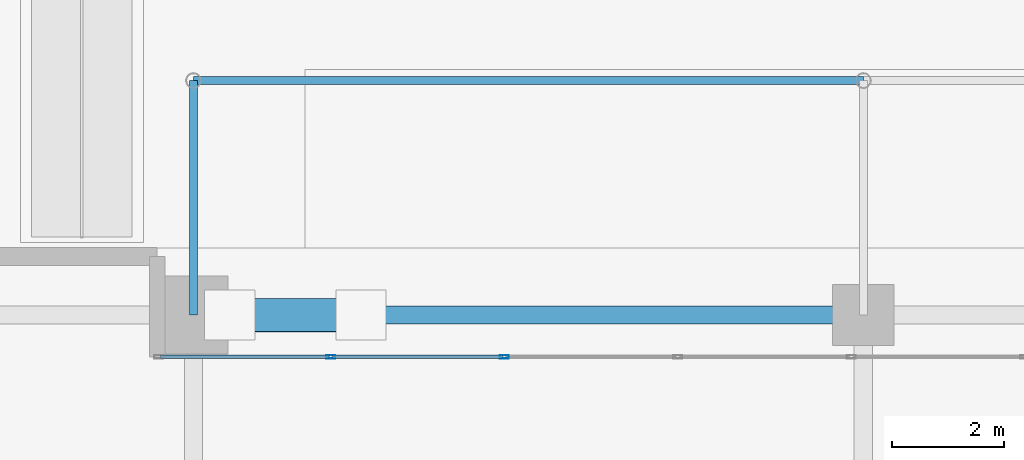
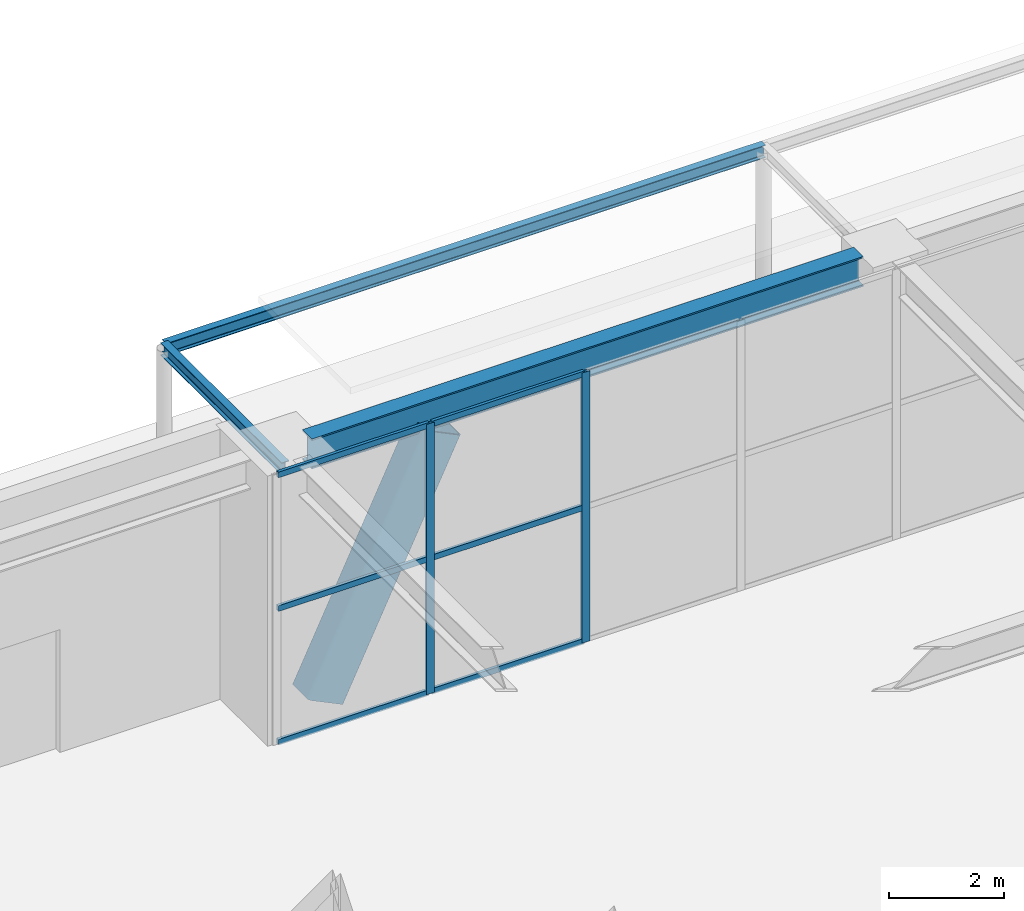
# One storey, part 24 of 49: 9 members, 3 beams, 1 element without a shape of its own.
"""IFC4 building model written with IfcOpenShell, lengths in metres."""

from ifc_helpers import new_model, si_unit, direction, frame, origin, origin_2d, place, context, subcontext, project, spatial, hollow_rectangle, i_section, extrude, material, layer, layer_set, material_profile, profile_set, type_object, element, aggregate, save


model = new_model("IFC4")

# Units and contexts
model_context = context("Model", 3, precision=1e-05, world=origin(), true_north=direction((0.0, 1.0)))
body_context = subcontext(model_context, "Body", "Model", "MODEL_VIEW")
ifc_project = project(units=[si_unit("LENGTHUNIT", "METRE"), si_unit("AREAUNIT", "SQUARE_METRE"), si_unit("VOLUMEUNIT", "CUBIC_METRE"), si_unit("PLANEANGLEUNIT", "RADIAN"), si_unit("MASSUNIT", "GRAM", prefix="KILO")], contexts=[model_context])

# Site, building, storey
site_placement = place(None, origin())
site = spatial("IfcSite", under=ifc_project, at=site_placement, CompositionType="ELEMENT")
building_placement = place(site_placement, origin())
building = spatial("IfcBuilding", under=site, at=building_placement, Name="Sarneth Arch Tower", CompositionType="ELEMENT")
storey_placement = place(building_placement, origin())
storey = spatial("IfcBuildingStorey", under=building, at=storey_placement, Name="L00", CompositionType="ELEMENT", Elevation=0.0)

# Beams
ifc_material_1 = material(Name="Steel S355", Category="steel")
ifc_material_profile_1 = material_profile(ifc_material_1, i_section(OverallWidth=0.14794921875, OverallDepth=0.26611328125, WebThickness=0.007568359375, FlangeThickness=0.012939453125, FilletRadius=0.012939453125, at=origin_2d()), Name="W250x44.8")
ifc_profile_set_1 = profile_set([ifc_material_profile_1], Name="Steel S355")
beam_type_1 = type_object("IfcBeamType", Name="BM-JOIST-250", PredefinedType="JOIST", material=ifc_profile_set_1)
beam_1_placement = place(storey_placement, frame((30.0, 74.800048828125, 5.159912109375), z_axis=(0.0, 1.0, 0.0), x_axis=(-1.0, 0.0, 0.0)))
element("IfcBeam", 1, at=beam_1_placement, inside=storey, type_object=beam_type_1, Name="Entrance canopy outrigger beam NORTH.1", PredefinedType="JOIST", context=body_context, shape_type="SweptSolid", body=[
    extrude(i_section(OverallWidth=0.14794921875, OverallDepth=0.26611328125, WebThickness=0.007568359375, FlangeThickness=0.012939453125, FilletRadius=0.012939453125, at=origin_2d()), origin(), (0.0, 0.0, 1.0), 4.199951171875),
])
beam_2_placement = place(storey_placement, frame((30.0, 79.0, 5.159912109375), z_axis=(1.0, 0.0, 0.0), x_axis=(0.0, 1.0, 0.0)))
element("IfcBeam", 2, at=beam_2_placement, inside=storey, type_object=beam_type_1, Name="Entrance canopy edge beam NORTH.1", PredefinedType="JOIST", context=body_context, shape_type="SweptSolid", body=[
    extrude(i_section(OverallWidth=0.14794921875, OverallDepth=0.26611328125, WebThickness=0.007568359375, FlangeThickness=0.012939453125, FilletRadius=0.012939453125, at=origin_2d()), origin(), (0.0, 0.0, 1.0), 12.0),
])
ifc_material_2 = material(Name="Steel S355", Category="steel")
ifc_material_profile_2 = material_profile(ifc_material_2, i_section(OverallWidth=0.3291015625, OverallDepth=0.635009765625, WebThickness=0.017822265625, FlangeThickness=0.031005859375, FilletRadius=0.01904296875, at=origin_2d()), Name="W610x241")
ifc_profile_set_2 = profile_set([ifc_material_profile_2], Name="Steel S355")
beam_type_2 = type_object("IfcBeamType", Name="BM-POD-610", PredefinedType="BEAM", material=ifc_profile_set_2)
beam_3_placement = place(storey_placement, frame((30.435546875, 74.800048828125, 5.402587890625), z_axis=(1.0, 0.0, 0.0), x_axis=(0.0, 1.0, 0.0)))
element("IfcBeam", 3, at=beam_3_placement, inside=storey, type_object=beam_type_2, Name="L00 Podium PN girder 3", PredefinedType="BEAM", context=body_context, shape_type="SweptSolid", body=[
    extrude(i_section(OverallWidth=0.3291015625, OverallDepth=0.635009765625, WebThickness=0.017822265625, FlangeThickness=0.031005859375, FilletRadius=0.01904296875, at=origin_2d()), origin(), (0.0, 0.0, 1.0), 11.04443359375),
])

# Curtain wall, members
ifc_material_3 = material(Name="Anodised aluminium Type AA25 and solar-control low-e laminated IGU", Category="aluminium")
ifc_layer = layer(ifc_material_3, 0.199951171875)
ifc_layer_set = layer_set([ifc_layer], Name="Anodised aluminium Type AA25 and solar-control low-e laminated IGU")
curtain_wall_type = type_object("IfcCurtainWallType", Name="CW-ARCH-GLAZE", PredefinedType="NOTDEFINED", material=ifc_layer_set)
curtain_wall_placement = place(storey_placement, origin())
curtain_wall = element("IfcCurtainWall", 4, at=curtain_wall_placement, inside=storey, type_object=curtain_wall_type, Name="L00 North parabolic arch portal curtain wall", PredefinedType="NOTDEFINED")
ifc_material_4 = material(Name="Anodised Aluminium 6063-T6", Category="aluminium")
ifc_material_profile_3 = material_profile(ifc_material_4, hollow_rectangle(XDim=0.06005859375, YDim=0.159912109375, WallThickness=0.00390625, at=origin_2d()), Name="AL-MULL-160x60x4")
ifc_profile_set_3 = profile_set([ifc_material_profile_3], Name="Anodised Aluminium 6063-T6")
member_type_1 = type_object("IfcMemberType", Name="CW-MULLION", PredefinedType="MULLION", material=ifc_profile_set_3)
member_1_placement = place(storey_placement, frame((35.566650390625, 74.050048828125, 0.0), z_axis=(0.0, 0.0, 1.0), x_axis=(0.0, -1.0, 0.0)))
member_1 = element("IfcMember", 5, at=member_1_placement, type_object=member_type_1, Name="CW-SYS-2 mullion 11", PredefinedType="MULLION", context=body_context, shape_type="SweptSolid", body=[
    extrude(hollow_rectangle(XDim=0.06005859375, YDim=0.159912109375, WallThickness=0.00390625, at=origin_2d()), origin(), (0.0, 0.0, 1.0), 5.719970703125),
])
member_2_placement = place(storey_placement, frame((32.458251953125, 74.050048828125, 0.0), z_axis=(0.0, 0.0, 1.0), x_axis=(0.0, -1.0, 0.0)))
member_2 = element("IfcMember", 6, at=member_2_placement, type_object=member_type_1, Name="CW-SYS-2 mullion 12", PredefinedType="MULLION", context=body_context, shape_type="SweptSolid", body=[
    extrude(hollow_rectangle(XDim=0.06005859375, YDim=0.159912109375, WallThickness=0.00390625, at=origin_2d()), origin(), (0.0, 0.0, 1.0), 5.719970703125),
])
ifc_material_5 = material(Name="Anodised Aluminium 6063-T6", Category="aluminium")
ifc_material_profile_4 = material_profile(ifc_material_5, hollow_rectangle(XDim=0.06005859375, YDim=0.1201171875, WallThickness=0.00390625, at=origin_2d()), Name="AL-TRAN-120x60x4")
ifc_profile_set_4 = profile_set([ifc_material_profile_4], Name="Anodised Aluminium 6063-T6")
member_type_2 = type_object("IfcMemberType", Name="CW-TRANSOM", PredefinedType="USERDEFINED", material=ifc_profile_set_4)
member_3_placement = place(storey_placement, frame((35.53662109375, 74.050048828125, 0.030029296875), z_axis=(-1.0, 0.0, 0.0), x_axis=(0.0, -1.0, 0.0)))
member_3 = element("IfcMember", 7, at=member_3_placement, type_object=member_type_2, Name="CW-SYS-2 transom 11.1", ObjectType="TRANSOM", PredefinedType="USERDEFINED", context=body_context, shape_type="SweptSolid", body=[
    extrude(hollow_rectangle(XDim=0.06005859375, YDim=0.1201171875, WallThickness=0.00390625, at=origin_2d()), origin(), (0.0, 0.0, 1.0), 3.04833984375),
])
member_4_placement = place(storey_placement, frame((35.53662109375, 74.050048828125, 2.860107421875), z_axis=(-1.0, 0.0, 0.0), x_axis=(0.0, -1.0, 0.0)))
member_4 = element("IfcMember", 8, at=member_4_placement, type_object=member_type_2, Name="CW-SYS-2 transom 11.2", ObjectType="TRANSOM", PredefinedType="USERDEFINED", context=body_context, shape_type="SweptSolid", body=[
    extrude(hollow_rectangle(XDim=0.06005859375, YDim=0.1201171875, WallThickness=0.00390625, at=origin_2d()), origin(), (0.0, 0.0, 1.0), 3.04833984375),
])
member_5_placement = place(storey_placement, frame((35.53662109375, 74.050048828125, 5.68994140625), z_axis=(-1.0, 0.0, 0.0), x_axis=(0.0, -1.0, 0.0)))
member_5 = element("IfcMember", 9, at=member_5_placement, type_object=member_type_2, Name="CW-SYS-2 transom 11.3", ObjectType="TRANSOM", PredefinedType="USERDEFINED", context=body_context, shape_type="SweptSolid", body=[
    extrude(hollow_rectangle(XDim=0.06005859375, YDim=0.1201171875, WallThickness=0.00390625, at=origin_2d()), origin(), (0.0, 0.0, 1.0), 3.04833984375),
])
member_6_placement = place(storey_placement, frame((32.42822265625, 74.050048828125, 0.030029296875), z_axis=(-1.0, 0.0, 0.0), x_axis=(0.0, -1.0, 0.0)))
member_6 = element("IfcMember", 10, at=member_6_placement, type_object=member_type_2, Name="CW-SYS-2 transom 12.1", ObjectType="TRANSOM", PredefinedType="USERDEFINED", context=body_context, shape_type="SweptSolid", body=[
    extrude(hollow_rectangle(XDim=0.06005859375, YDim=0.1201171875, WallThickness=0.00390625, at=origin_2d()), origin(), (0.0, 0.0, 1.0), 3.018310546875),
])
member_7_placement = place(storey_placement, frame((32.42822265625, 74.050048828125, 2.860107421875), z_axis=(-1.0, 0.0, 0.0), x_axis=(0.0, -1.0, 0.0)))
member_7 = element("IfcMember", 11, at=member_7_placement, type_object=member_type_2, Name="CW-SYS-2 transom 12.2", ObjectType="TRANSOM", PredefinedType="USERDEFINED", context=body_context, shape_type="SweptSolid", body=[
    extrude(hollow_rectangle(XDim=0.06005859375, YDim=0.1201171875, WallThickness=0.00390625, at=origin_2d()), origin(), (0.0, 0.0, 1.0), 3.018310546875),
])
member_8_placement = place(storey_placement, frame((32.42822265625, 74.050048828125, 5.68994140625), z_axis=(-1.0, 0.0, 0.0), x_axis=(0.0, -1.0, 0.0)))
member_8 = element("IfcMember", 12, at=member_8_placement, type_object=member_type_2, Name="CW-SYS-2 transom 12.3", ObjectType="TRANSOM", PredefinedType="USERDEFINED", context=body_context, shape_type="SweptSolid", body=[
    extrude(hollow_rectangle(XDim=0.06005859375, YDim=0.1201171875, WallThickness=0.00390625, at=origin_2d()), origin(), (0.0, 0.0, 1.0), 3.018310546875),
])
aggregate(curtain_wall, [member_1, member_2, member_3, member_4, member_5, member_6, member_7, member_8])

# Member
ifc_material_6 = material(Name="Steel S355", Category="steel")
ifc_material_profile_5 = material_profile(ifc_material_6, hollow_rectangle(XDim=0.60009765625, YDim=0.800048828125, WallThickness=0.028076171875, InnerFilletRadius=0.0419921875, OuterFilletRadius=0.070068359375, at=origin_2d()), Name="RHS800x600x28")
ifc_profile_set_5 = profile_set([ifc_material_profile_5], Name="Steel S355")
member_type_3 = type_object("IfcMemberType", Name="MEM-ARCH-CHORD", PredefinedType="CHORD", material=ifc_profile_set_5)
member_9_placement = place(storey_placement, frame((30.64990234375, 74.800048828125, 0.14990234375), z_axis=(0.433788519804, 0.0, 0.901014716909), x_axis=(0.0, 1.0, 0.0)))
element("IfcMember", 13, at=member_9_placement, inside=storey, type_object=member_type_3, Name="Podium parabolic arch rib 6 segment 1", PredefinedType="CHORD", context=body_context, shape_type="SweptSolid", body=[
    extrude(hollow_rectangle(XDim=0.60009765625, YDim=0.800048828125, WallThickness=0.028076171875, InnerFilletRadius=0.0419921875, OuterFilletRadius=0.070068359375, at=origin_2d()), origin(), (0.0, 0.0, 1.0), 5.417724609375),
])

save(model, "model.ifc")
